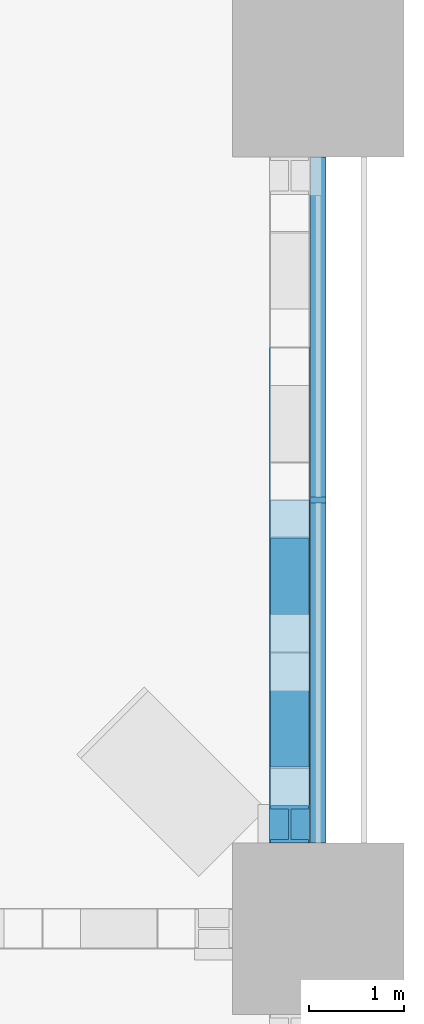
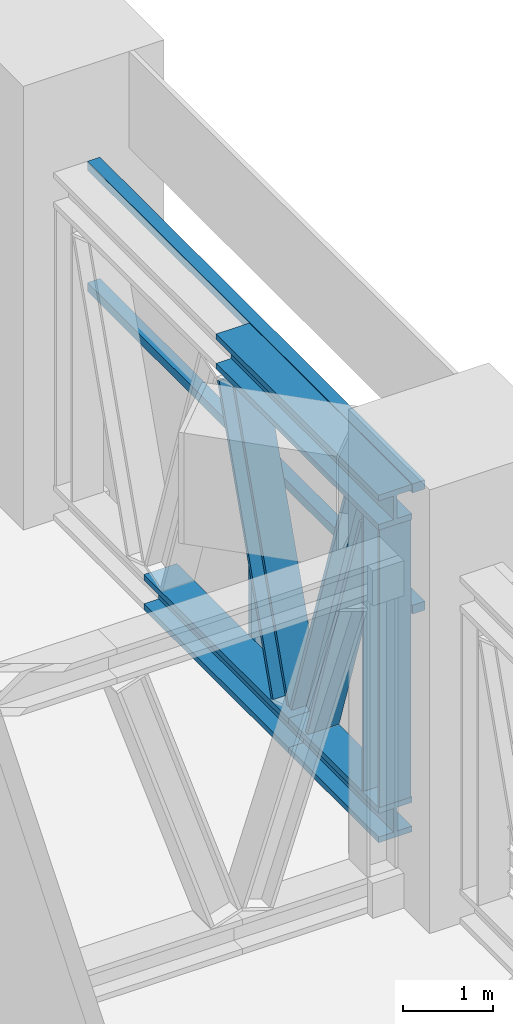
# One storey, part 6 of 24: 9 members, 1 element without a shape of its own.
"""IFC4 building model written with IfcOpenShell, lengths in metres."""

from ifc_helpers import new_model, si_unit, direction, frame, origin, origin_2d, place, context, subcontext, project, spatial, rectangle, i_section, extrude, material, material_profile, profile_set, type_object, element, aggregate, save


model = new_model("IFC4")

# Units and contexts
model_context = context("Model", 3, precision=1e-05, world=origin(), true_north=direction((0.0, 1.0)))
body_context = subcontext(model_context, "Body", "Model", "MODEL_VIEW")
ifc_project = project(units=[si_unit("LENGTHUNIT", "METRE"), si_unit("AREAUNIT", "SQUARE_METRE"), si_unit("VOLUMEUNIT", "CUBIC_METRE"), si_unit("PLANEANGLEUNIT", "RADIAN"), si_unit("MASSUNIT", "GRAM", prefix="KILO")], contexts=[model_context])

# Site, building, storey
site_placement = place(None, origin())
site = spatial("IfcSite", under=ifc_project, at=site_placement, CompositionType="ELEMENT")
building_placement = place(site_placement, origin())
building = spatial("IfcBuilding", under=site, at=building_placement, Name="Tessera Arch", CompositionType="ELEMENT")
storey_placement = place(building_placement, frame((0.0, 0.0, 123.39990234375)))
storey = spatial("IfcBuildingStorey", under=building, at=storey_placement, Name="L29", CompositionType="ELEMENT", Elevation=123.39990234375)

# Curtain wall, members
ifc_material_1 = material(Name="CW7 curtain wall")
curtain_wall_type = type_object("IfcCurtainWallType", Name="CW7 curtain wall", PredefinedType="NOTDEFINED", material=ifc_material_1)
curtain_wall_placement = place(storey_placement, origin())
curtain_wall = element("IfcCurtainWall", 1, at=curtain_wall_placement, inside=storey, type_object=curtain_wall_type, Name="CW7 curtain wall E54.0/3 L29", PredefinedType="NOTDEFINED")
ifc_material_2 = material(Name="Anodised aluminium pale metal", Category="aluminium")
ifc_material_profile_1 = material_profile(ifc_material_2, rectangle(XDim=0.159912109375, YDim=0.06005859375, at=origin_2d()), Name="AL 60x160")
ifc_profile_set_1 = profile_set([ifc_material_profile_1], Name="Anodised aluminium pale metal")
member_type_1 = type_object("IfcMemberType", Name="CW7 mullion", PredefinedType="MULLION", material=ifc_profile_set_1)
member_1_placement = place(storey_placement, frame((54.0, 31.5, 0.0), z_axis=(0.0, 0.0, 1.0), x_axis=(-1.0, 0.0, 0.0)))
member_1 = element("IfcMember", 2, at=member_1_placement, type_object=member_type_1, Name="CW7 mullion E54.0/3 1", PredefinedType="MULLION", context=body_context, shape_type="SweptSolid", body=[
    extrude(rectangle(XDim=0.159912109375, YDim=0.06005859375, at=origin_2d()), origin(), (0.0, 0.0, 1.0), 4.580078125),
])
ifc_material_3 = material(Name="Anodised aluminium pale metal", Category="aluminium")
ifc_material_profile_2 = material_profile(ifc_material_3, rectangle(XDim=0.159912109375, YDim=0.1201171875, at=origin_2d()), Name="AL 160x120")
ifc_profile_set_2 = profile_set([ifc_material_profile_2], Name="Anodised aluminium pale metal")
member_type_2 = type_object("IfcMemberType", Name="CW7 transom", PredefinedType="USERDEFINED", material=ifc_profile_set_2)
member_2_placement = place(storey_placement, frame((54.0, 27.89990234375, 4.64013671875), z_axis=(0.0, 1.0, 0.0), x_axis=(-1.0, 0.0, 0.0)))
member_2 = element("IfcMember", 3, at=member_2_placement, type_object=member_type_2, Name="CW7 transom E54.0/3 1.1", ObjectType="TRANSOM", PredefinedType="USERDEFINED", context=body_context, shape_type="SweptSolid", body=[
    extrude(rectangle(XDim=0.159912109375, YDim=0.1201171875, at=origin_2d()), origin(), (0.0, 0.0, 1.0), 7.2001953125),
])
member_3_placement = place(storey_placement, frame((54.0, 27.89990234375, 3.0), z_axis=(0.0, 1.0, 0.0), x_axis=(-1.0, 0.0, 0.0)))
member_3 = element("IfcMember", 4, at=member_3_placement, type_object=member_type_2, Name="CW7 transom E54.0/3 2.1", ObjectType="TRANSOM", PredefinedType="USERDEFINED", context=body_context, shape_type="SweptSolid", body=[
    extrude(rectangle(XDim=0.159912109375, YDim=0.1201171875, at=origin_2d()), origin(), (0.0, 0.0, 1.0), 7.2001953125),
])
aggregate(curtain_wall, [member_1, member_2, member_3])

# Members
ifc_material_4 = material(Name="Steel A992 Gr50", Category="steel")
ifc_material_profile_3 = material_profile(ifc_material_4, i_section(OverallWidth=0.424072265625, OverallDepth=0.47412109375, WebThickness=0.047607421875, FlangeThickness=0.0771484375, at=origin_2d()), Name="W14x426")
ifc_profile_set_3 = profile_set([ifc_material_profile_3], Name="Steel A992 Gr50")
member_type_3 = type_object("IfcMemberType", Name="Truss chord W14x426", PredefinedType="CHORD", material=ifc_profile_set_3)
member_4_placement = place(storey_placement, frame((53.699951171875, 27.89990234375, 4.462890625), z_axis=(0.0, 1.0, 0.0), x_axis=(-1.0, 0.0, 0.0)))
element("IfcMember", 5, at=member_4_placement, inside=storey, type_object=member_type_3, Name="Belt truss top chord 1", PredefinedType="CHORD", context=body_context, shape_type="SweptSolid", body=[
    extrude(i_section(OverallWidth=0.424072265625, OverallDepth=0.47412109375, WebThickness=0.047607421875, FlangeThickness=0.0771484375, at=origin_2d()), origin(), (0.0, 0.0, 1.0), 3.60009765625),
])
member_5_placement = place(storey_placement, frame((53.699951171875, 27.89990234375, 0.2373046875), z_axis=(0.0, 1.0, 0.0), x_axis=(-1.0, 0.0, 0.0)))
element("IfcMember", 6, at=member_5_placement, inside=storey, type_object=member_type_3, Name="Belt truss bottom chord 1", PredefinedType="CHORD", context=body_context, shape_type="SweptSolid", body=[
    extrude(i_section(OverallWidth=0.424072265625, OverallDepth=0.47412109375, WebThickness=0.047607421875, FlangeThickness=0.0771484375, at=origin_2d()), origin(), (0.0, 0.0, 1.0), 1.996826171875),
])
member_6_placement = place(storey_placement, frame((53.699951171875, 29.896728515625, 0.2373046875), z_axis=(0.0, 1.0, 0.0), x_axis=(-1.0, 0.0, 0.0)))
element("IfcMember", 7, at=member_6_placement, inside=storey, type_object=member_type_3, Name="Belt truss bottom chord 2", PredefinedType="CHORD", context=body_context, shape_type="SweptSolid", body=[
    extrude(i_section(OverallWidth=0.424072265625, OverallDepth=0.47412109375, WebThickness=0.047607421875, FlangeThickness=0.0771484375, at=origin_2d()), origin(), (0.0, 0.0, 1.0), 3.20654296875),
])
ifc_material_5 = material(Name="Steel A992 Gr50", Category="steel")
ifc_material_profile_4 = material_profile(ifc_material_5, i_section(OverallWidth=0.406494140625, OverallDepth=0.41650390625, WebThickness=0.030029296875, FlangeThickness=0.048095703125, at=origin_2d()), Name="W14x257")
ifc_profile_set_4 = profile_set([ifc_material_profile_4], Name="Steel A992 Gr50")
member_type_4 = type_object("IfcMemberType", Name="Truss diagonal W14x257", PredefinedType="BRACE", material=ifc_profile_set_4)
for number, where, z_axis, x_axis, name in (
    (8, (53.699951171875, 28.4970703125, 4.142822265625), (0.0, 0.316557157585, -0.948573437316), (-1.0, 0.0, 0.0), "Belt truss diagonal 1"),
    (9, (53.699951171875, 30.10009765625, 0.557373046875), (0.0, 0.316557157585, 0.948573437316), (-1.0, 0.0, 0.0), "Belt truss diagonal 2"),
):
    element("IfcMember", number, at=place(storey_placement, frame(where, z_axis=z_axis, x_axis=x_axis)), inside=storey, type_object=member_type_4, Name=name, PredefinedType="BRACE", context=body_context, shape_type="SweptSolid", body=[
        extrude(i_section(OverallWidth=0.406494140625, OverallDepth=0.41650390625, WebThickness=0.030029296875, FlangeThickness=0.048095703125, at=origin_2d()), origin(), (0.0, 0.0, 1.0), 3.77978515625),
    ])
ifc_material_6 = material(Name="Steel A992 Gr50", Category="steel")
ifc_material_profile_5 = material_profile(ifc_material_6, i_section(OverallWidth=0.398681640625, OverallDepth=0.393798828125, WebThickness=0.022705078125, FlangeThickness=0.03662109375, at=origin_2d()), Name="W14x193")
ifc_profile_set_5 = profile_set([ifc_material_profile_5], Name="Steel A992 Gr50")
member_type_5 = type_object("IfcMemberType", Name="Truss post W14x193", PredefinedType="POST", material=ifc_profile_set_5)
member_7_placement = place(storey_placement, frame((53.699951171875, 28.096923828125, 0.474365234375), z_axis=(0.0, 0.0, 1.0), x_axis=(1.0, 0.0, 0.0)))
element("IfcMember", 10, at=member_7_placement, inside=storey, type_object=member_type_5, Name="Belt truss end post 1", PredefinedType="POST", context=body_context, shape_type="SweptSolid", body=[
    extrude(i_section(OverallWidth=0.398681640625, OverallDepth=0.393798828125, WebThickness=0.022705078125, FlangeThickness=0.03662109375, at=origin_2d()), origin(), (0.0, 0.0, 1.0), 3.75146484375),
])

save(model, "model.ifc")
